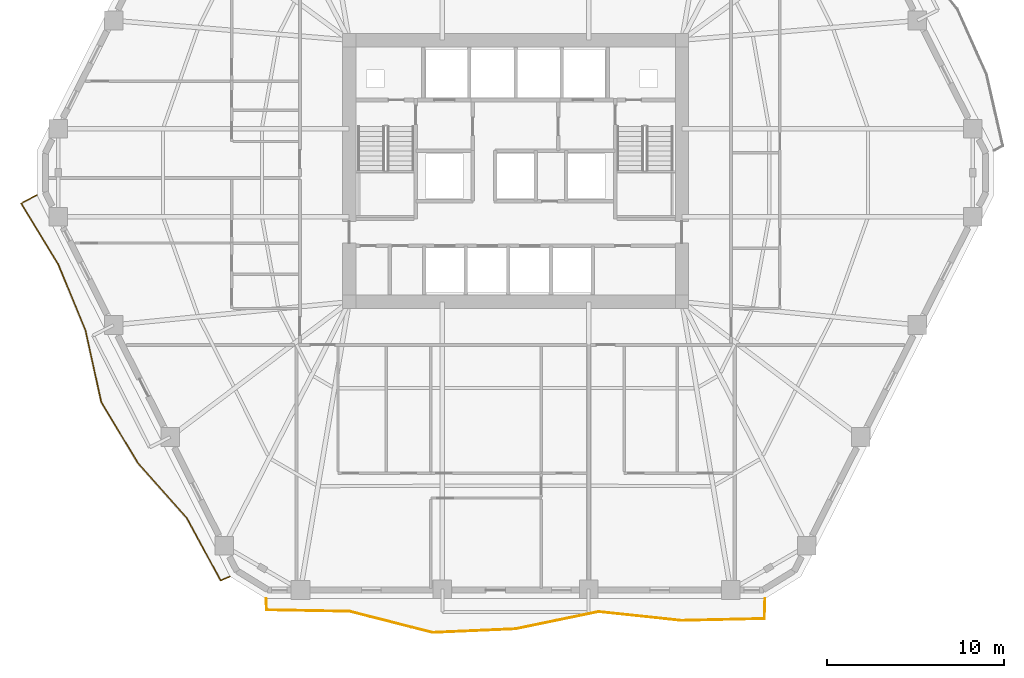
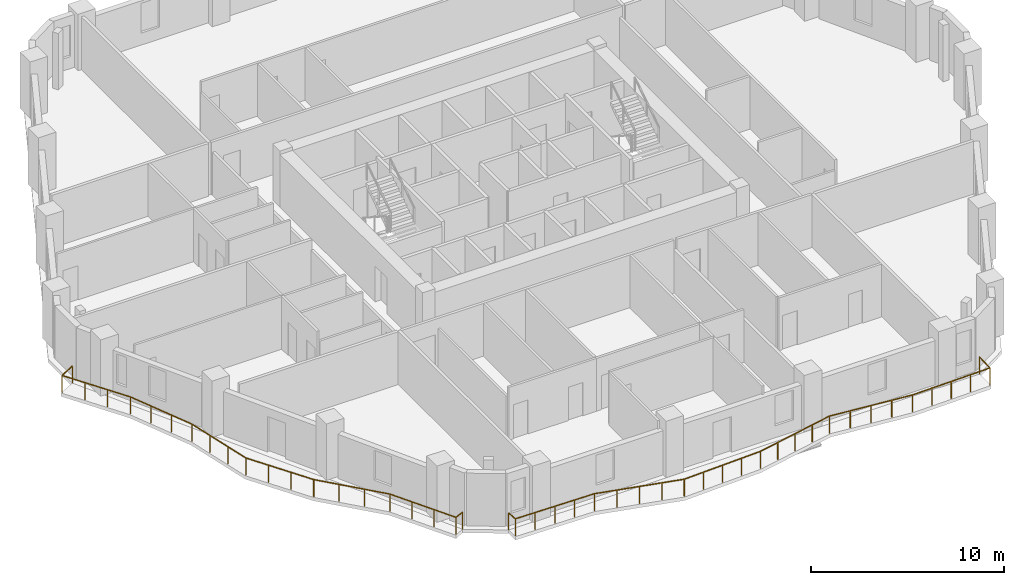
# One storey, part 8 of 10: 2 railings.
"""IFC4 building model written with IfcOpenShell, lengths in metres."""

from ifc_helpers import new_model, si_unit, direction, frame, origin, origin_2d, place, context, subcontext, project, spatial, rectangle, extrude, material, type_object, element, save


model = new_model("IFC4")

# Units and contexts
model_context = context("Model", 3, precision=1e-05, world=origin(), true_north=direction((0.0, 1.0)))
body_context = subcontext(model_context, "Body", "Model", "MODEL_VIEW")
ifc_project = project(units=[si_unit("LENGTHUNIT", "METRE"), si_unit("AREAUNIT", "SQUARE_METRE"), si_unit("VOLUMEUNIT", "CUBIC_METRE"), si_unit("PLANEANGLEUNIT", "RADIAN"), si_unit("MASSUNIT", "GRAM", prefix="KILO")], contexts=[model_context])

# Site, building, storey
site_placement = place(None, origin())
site = spatial("IfcSite", under=ifc_project, at=site_placement, CompositionType="ELEMENT")
building_placement = place(site_placement, origin())
building = spatial("IfcBuilding", under=site, at=building_placement, Name="Cinnabar Lancet Tower", CompositionType="ELEMENT")
storey_placement = place(building_placement, frame((0.0, 0.0, 87.10009765625)))
storey = spatial("IfcBuildingStorey", under=building, at=storey_placement, Name="L22", CompositionType="ELEMENT", Elevation=87.10009765625)

# Railings
ifc_material = material(Name="Laminated safety glass and bronze stainless steel balustrade", Category="steel")
railing_type = type_object("IfcRailingType", Name="ENV-RLG-BAL-1100", PredefinedType="BALUSTRADE", material=ifc_material)
railing_1_placement = place(storey_placement, frame((18.343994140625, 1.800048828125, 0.0)))
element("IfcRailing", 1, at=railing_1_placement, inside=storey, type_object=railing_type, Name="L22 Face 1 Wave Balcony Balustrade", PredefinedType="BALUSTRADE", context=body_context, shape_type="SweptSolid", body=[
    extrude(rectangle(XDim=0.048095703125, YDim=0.048095703125, at=origin_2d()), frame((0.0, 0.0, 1.076171875), z_axis=(0.055234698656, -0.998473398777, 0.0), x_axis=(0.998473398777, 0.055234698656, 0.0)), (0.0, 0.0, 1.0), 0.632080078125),
    extrude(rectangle(XDim=0.048095703125, YDim=0.048095703125, at=origin_2d()), frame((0.034912109375, -0.631103515625, 1.076171875), z_axis=(0.999838679488, -0.017961486539, 0.0), x_axis=(0.017961486539, 0.999838679488, 0.0)), (0.0, 0.0, 1.0), 4.67578125),
    extrude(rectangle(XDim=0.048095703125, YDim=0.048095703125, at=origin_2d()), frame((4.7099609375, -0.715087890625, 1.076171875), z_axis=(0.96902760163, -0.246952439306, 0.0), x_axis=(0.246952439306, 0.96902760163, 0.0)), (0.0, 0.0, 1.0), 4.822509765625),
    extrude(rectangle(XDim=0.048095703125, YDim=0.048095703125, at=origin_2d()), frame((9.383056640625, -1.906005859375, 1.076171875), z_axis=(0.999038348092, 0.043844943176, 0.0), x_axis=(-0.043844943176, 0.999038348092, 0.0)), (0.0, 0.0, 1.0), 4.67724609375),
    extrude(rectangle(XDim=0.048095703125, YDim=0.048095703125, at=origin_2d()), frame((14.055908203125, -1.700927734375, 1.076171875), z_axis=(0.97916264121, 0.203077625697, 0.0), x_axis=(-0.203077625697, 0.97916264121, 0.0)), (0.0, 0.0, 1.0), 4.771484375),
    extrude(rectangle(XDim=0.048095703125, YDim=0.048095703125, at=origin_2d()), frame((18.72802734375, -0.73193359375, 1.076171875), z_axis=(0.99439507142, -0.1057281511, 0.0), x_axis=(0.1057281511, 0.99439507142, 0.0)), (0.0, 0.0, 1.0), 4.701416015625),
    extrude(rectangle(XDim=0.048095703125, YDim=0.048095703125, at=origin_2d()), frame((23.403076171875, -1.22900390625, 1.076171875), z_axis=(0.999747971003, 0.022449821272, 0.0), x_axis=(-0.022449821272, 0.999747971003, 0.0)), (0.0, 0.0, 1.0), 4.67626953125),
    extrude(rectangle(XDim=0.048095703125, YDim=0.048095703125, at=origin_2d()), frame((28.078125, -1.1240234375, 1.076171875), z_axis=(0.030177387856, 0.999544558918, 0.0), x_axis=(-0.999544558918, 0.030177387856, 0.0)), (0.0, 0.0, 1.0), 1.12451171875),
    extrude(rectangle(XDim=0.0419921875, YDim=0.0419921875, at=origin_2d()), origin(), (0.0, 0.0, 1.0), 1.052001953125),
    extrude(rectangle(XDim=0.0419921875, YDim=0.0419921875, at=origin_2d()), frame((0.034912109375, -0.631103515625, 0.0)), (0.0, 0.0, 1.0), 1.052001953125),
    extrude(rectangle(XDim=0.0419921875, YDim=0.0419921875, at=origin_2d()), frame((1.20361328125, -0.652099609375, 0.0)), (0.0, 0.0, 1.0), 1.052001953125),
    extrude(rectangle(XDim=0.0419921875, YDim=0.0419921875, at=origin_2d()), frame((2.37255859375, -0.673095703125, 0.0)), (0.0, 0.0, 1.0), 1.052001953125),
    extrude(rectangle(XDim=0.0419921875, YDim=0.0419921875, at=origin_2d()), frame((3.541259765625, -0.694091796875, 0.0)), (0.0, 0.0, 1.0), 1.052001953125),
    extrude(rectangle(XDim=0.0419921875, YDim=0.0419921875, at=origin_2d()), frame((4.7099609375, -0.715087890625, 0.0)), (0.0, 0.0, 1.0), 1.052001953125),
    extrude(rectangle(XDim=0.0419921875, YDim=0.0419921875, at=origin_2d()), frame((5.878173828125, -1.0126953125, 0.0)), (0.0, 0.0, 1.0), 1.052001953125),
    extrude(rectangle(XDim=0.0419921875, YDim=0.0419921875, at=origin_2d()), frame((7.04638671875, -1.310546875, 0.0)), (0.0, 0.0, 1.0), 1.052001953125),
    extrude(rectangle(XDim=0.0419921875, YDim=0.0419921875, at=origin_2d()), frame((8.21484375, -1.6083984375, 0.0)), (0.0, 0.0, 1.0), 1.052001953125),
    extrude(rectangle(XDim=0.0419921875, YDim=0.0419921875, at=origin_2d()), frame((9.383056640625, -1.906005859375, 0.0)), (0.0, 0.0, 1.0), 1.052001953125),
    extrude(rectangle(XDim=0.0419921875, YDim=0.0419921875, at=origin_2d()), frame((10.55126953125, -1.854736328125, 0.0)), (0.0, 0.0, 1.0), 1.052001953125),
    extrude(rectangle(XDim=0.0419921875, YDim=0.0419921875, at=origin_2d()), frame((11.719482421875, -1.803466796875, 0.0)), (0.0, 0.0, 1.0), 1.052001953125),
    extrude(rectangle(XDim=0.0419921875, YDim=0.0419921875, at=origin_2d()), frame((12.8876953125, -1.752197265625, 0.0)), (0.0, 0.0, 1.0), 1.052001953125),
    extrude(rectangle(XDim=0.0419921875, YDim=0.0419921875, at=origin_2d()), frame((14.055908203125, -1.700927734375, 0.0)), (0.0, 0.0, 1.0), 1.052001953125),
    extrude(rectangle(XDim=0.0419921875, YDim=0.0419921875, at=origin_2d()), frame((15.223876953125, -1.458740234375, 0.0)), (0.0, 0.0, 1.0), 1.052001953125),
    extrude(rectangle(XDim=0.0419921875, YDim=0.0419921875, at=origin_2d()), frame((16.39208984375, -1.21630859375, 0.0)), (0.0, 0.0, 1.0), 1.052001953125),
    extrude(rectangle(XDim=0.0419921875, YDim=0.0419921875, at=origin_2d()), frame((17.56005859375, -0.97412109375, 0.0)), (0.0, 0.0, 1.0), 1.052001953125),
    extrude(rectangle(XDim=0.0419921875, YDim=0.0419921875, at=origin_2d()), frame((18.72802734375, -0.73193359375, 0.0)), (0.0, 0.0, 1.0), 1.052001953125),
    extrude(rectangle(XDim=0.0419921875, YDim=0.0419921875, at=origin_2d()), frame((19.896728515625, -0.856201171875, 0.0)), (0.0, 0.0, 1.0), 1.052001953125),
    extrude(rectangle(XDim=0.0419921875, YDim=0.0419921875, at=origin_2d()), frame((21.0654296875, -0.98046875, 0.0)), (0.0, 0.0, 1.0), 1.052001953125),
    extrude(rectangle(XDim=0.0419921875, YDim=0.0419921875, at=origin_2d()), frame((22.234375, -1.104736328125, 0.0)), (0.0, 0.0, 1.0), 1.052001953125),
    extrude(rectangle(XDim=0.0419921875, YDim=0.0419921875, at=origin_2d()), frame((23.403076171875, -1.22900390625, 0.0)), (0.0, 0.0, 1.0), 1.052001953125),
    extrude(rectangle(XDim=0.0419921875, YDim=0.0419921875, at=origin_2d()), frame((24.57177734375, -1.20263671875, 0.0)), (0.0, 0.0, 1.0), 1.052001953125),
    extrude(rectangle(XDim=0.0419921875, YDim=0.0419921875, at=origin_2d()), frame((25.74072265625, -1.176513671875, 0.0)), (0.0, 0.0, 1.0), 1.052001953125),
    extrude(rectangle(XDim=0.0419921875, YDim=0.0419921875, at=origin_2d()), frame((26.909423828125, -1.150390625, 0.0)), (0.0, 0.0, 1.0), 1.052001953125),
    extrude(rectangle(XDim=0.0419921875, YDim=0.0419921875, at=origin_2d()), frame((28.078125, -1.1240234375, 0.0)), (0.0, 0.0, 1.0), 1.052001953125),
    extrude(rectangle(XDim=0.0419921875, YDim=0.0419921875, at=origin_2d()), frame((28.112060546875, 0.0, 0.0)), (0.0, 0.0, 1.0), 1.052001953125),
])
railing_2_placement = place(storey_placement, frame((5.431884765625, 24.551025390625, 0.0)))
element("IfcRailing", 2, at=railing_2_placement, inside=storey, type_object=railing_type, Name="L22 Face 6 Wave Balcony Balustrade", PredefinedType="BALUSTRADE", context=body_context, shape_type="SweptSolid", body=[
    extrude(rectangle(XDim=0.048095703125, YDim=0.048095703125, at=origin_2d()), frame((0.0, 0.0, 1.076171875), z_axis=(-0.879173277423, -0.476502201742, 0.0), x_axis=(0.476502201742, -0.879173277423, 0.0)), (0.0, 0.0, 1.0), 1.00537109375),
    extrude(rectangle(XDim=0.048095703125, YDim=0.048095703125, at=origin_2d()), frame((-0.8837890625, -0.47900390625, 1.076171875), z_axis=(0.519792754442, -0.85429239282, 0.0), x_axis=(0.85429239282, 0.519792754442, 0.0)), (0.0, 0.0, 1.0), 4.0185546875),
    extrude(rectangle(XDim=0.048095703125, YDim=0.048095703125, at=origin_2d()), frame((1.205078125, -3.912109375, 1.076171875), z_axis=(0.381040115023, -0.924558505852, 0.0), x_axis=(0.924558505852, 0.381040115023, 0.0)), (0.0, 0.0, 1.0), 4.01806640625),
    extrude(rectangle(XDim=0.048095703125, YDim=0.048095703125, at=origin_2d()), frame((2.736083984375, -7.626953125, 1.076171875), z_axis=(0.214661361609, -0.976688537781, 0.0), x_axis=(0.976688537781, 0.214661361609, 0.0)), (0.0, 0.0, 1.0), 4.136474609375),
    extrude(rectangle(XDim=0.048095703125, YDim=0.048095703125, at=origin_2d()), frame((3.6240234375, -11.6669921875, 1.076171875), z_axis=(0.51472817757, -0.857353429582, 0.0), x_axis=(0.857353429582, 0.51472817757, 0.0)), (0.0, 0.0, 1.0), 4.015869140625),
    extrude(rectangle(XDim=0.048095703125, YDim=0.048095703125, at=origin_2d()), frame((5.691162109375, -15.110107421875, 1.076171875), z_axis=(0.664627112817, -0.747175214329, 0.0), x_axis=(0.747175214329, 0.664627112817, 0.0)), (0.0, 0.0, 1.0), 4.1435546875),
    extrude(rectangle(XDim=0.048095703125, YDim=0.048095703125, at=origin_2d()), frame((8.445068359375, -18.2060546875, 1.076171875), z_axis=(0.476106595957, -0.879387576264, 0.0), x_axis=(0.879387576264, 0.476106595957, 0.0)), (0.0, 0.0, 1.0), 4.009521484375),
    extrude(rectangle(XDim=0.048095703125, YDim=0.048095703125, at=origin_2d()), frame((10.35400390625, -21.73193359375, 1.076171875), z_axis=(0.91628414894, 0.4005288484, 0.0), x_axis=(-0.4005288484, 0.91628414894, 0.0)), (0.0, 0.0, 1.0), 0.57421875),
    extrude(rectangle(XDim=0.0419921875, YDim=0.0419921875, at=origin_2d()), origin(), (0.0, 0.0, 1.0), 1.052001953125),
    extrude(rectangle(XDim=0.0419921875, YDim=0.0419921875, at=origin_2d()), frame((-0.8837890625, -0.47900390625, 0.0)), (0.0, 0.0, 1.0), 1.052001953125),
    extrude(rectangle(XDim=0.0419921875, YDim=0.0419921875, at=origin_2d()), frame((-0.1875, -1.623291015625, 0.0)), (0.0, 0.0, 1.0), 1.052001953125),
    extrude(rectangle(XDim=0.0419921875, YDim=0.0419921875, at=origin_2d()), frame((0.5087890625, -2.767822265625, 0.0)), (0.0, 0.0, 1.0), 1.052001953125),
    extrude(rectangle(XDim=0.0419921875, YDim=0.0419921875, at=origin_2d()), frame((1.205078125, -3.912109375, 0.0)), (0.0, 0.0, 1.0), 1.052001953125),
    extrude(rectangle(XDim=0.0419921875, YDim=0.0419921875, at=origin_2d()), frame((1.71533203125, -5.150390625, 0.0)), (0.0, 0.0, 1.0), 1.052001953125),
    extrude(rectangle(XDim=0.0419921875, YDim=0.0419921875, at=origin_2d()), frame((2.225830078125, -6.388671875, 0.0)), (0.0, 0.0, 1.0), 1.052001953125),
    extrude(rectangle(XDim=0.0419921875, YDim=0.0419921875, at=origin_2d()), frame((2.736083984375, -7.626953125, 0.0)), (0.0, 0.0, 1.0), 1.052001953125),
    extrude(rectangle(XDim=0.0419921875, YDim=0.0419921875, at=origin_2d()), frame((3.031982421875, -8.9736328125, 0.0)), (0.0, 0.0, 1.0), 1.052001953125),
    extrude(rectangle(XDim=0.0419921875, YDim=0.0419921875, at=origin_2d()), frame((3.328125, -10.3203125, 0.0)), (0.0, 0.0, 1.0), 1.052001953125),
    extrude(rectangle(XDim=0.0419921875, YDim=0.0419921875, at=origin_2d()), frame((3.6240234375, -11.6669921875, 0.0)), (0.0, 0.0, 1.0), 1.052001953125),
    extrude(rectangle(XDim=0.0419921875, YDim=0.0419921875, at=origin_2d()), frame((4.31298828125, -12.814697265625, 0.0)), (0.0, 0.0, 1.0), 1.052001953125),
    extrude(rectangle(XDim=0.0419921875, YDim=0.0419921875, at=origin_2d()), frame((5.002197265625, -13.96240234375, 0.0)), (0.0, 0.0, 1.0), 1.052001953125),
    extrude(rectangle(XDim=0.0419921875, YDim=0.0419921875, at=origin_2d()), frame((5.691162109375, -15.110107421875, 0.0)), (0.0, 0.0, 1.0), 1.052001953125),
    extrude(rectangle(XDim=0.0419921875, YDim=0.0419921875, at=origin_2d()), frame((6.609130859375, -16.14208984375, 0.0)), (0.0, 0.0, 1.0), 1.052001953125),
    extrude(rectangle(XDim=0.0419921875, YDim=0.0419921875, at=origin_2d()), frame((7.527099609375, -17.174072265625, 0.0)), (0.0, 0.0, 1.0), 1.052001953125),
    extrude(rectangle(XDim=0.0419921875, YDim=0.0419921875, at=origin_2d()), frame((8.445068359375, -18.2060546875, 0.0)), (0.0, 0.0, 1.0), 1.052001953125),
    extrude(rectangle(XDim=0.0419921875, YDim=0.0419921875, at=origin_2d()), frame((9.081298828125, -19.38134765625, 0.0)), (0.0, 0.0, 1.0), 1.052001953125),
    extrude(rectangle(XDim=0.0419921875, YDim=0.0419921875, at=origin_2d()), frame((9.7177734375, -20.556640625, 0.0)), (0.0, 0.0, 1.0), 1.052001953125),
    extrude(rectangle(XDim=0.0419921875, YDim=0.0419921875, at=origin_2d()), frame((10.35400390625, -21.73193359375, 0.0)), (0.0, 0.0, 1.0), 1.052001953125),
    extrude(rectangle(XDim=0.0419921875, YDim=0.0419921875, at=origin_2d()), frame((10.880126953125, -21.501953125, 0.0)), (0.0, 0.0, 1.0), 1.052001953125),
])

save(model, "model.ifc")
